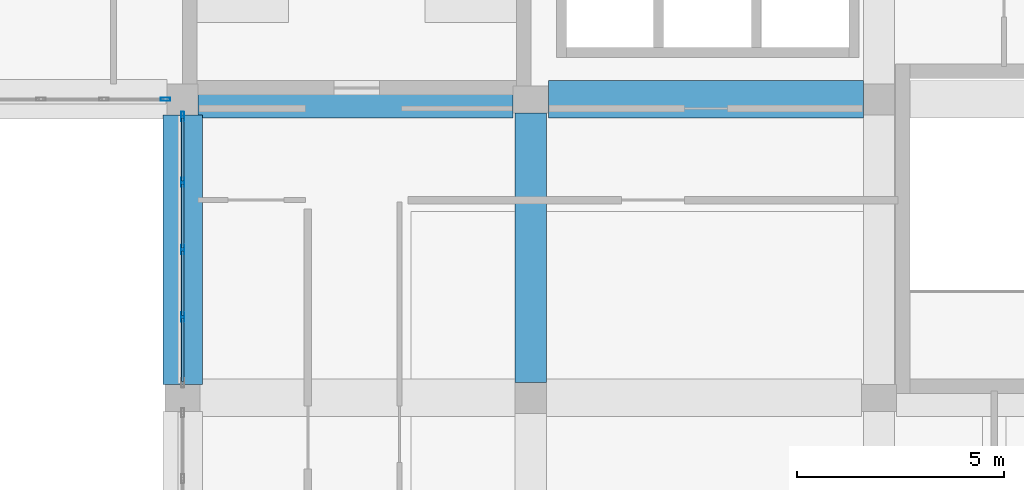
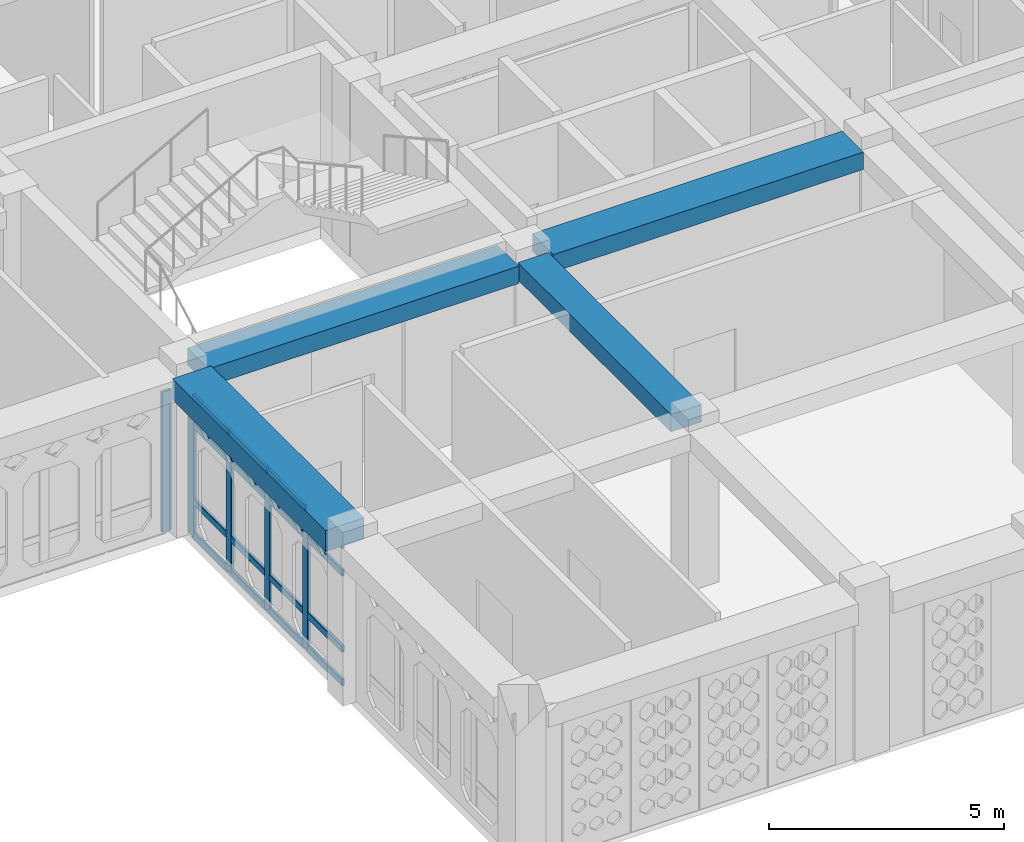
# One storey, part 5 of 111: 21 members, 4 beams, 2 elements without a shape of their own.
"""IFC4 building model written with IfcOpenShell, lengths in metres."""

from ifc_helpers import new_model, si_unit, derived_unit, direction, frame, origin, origin_2d, place, context, subcontext, project, spatial, rectangle, hollow_rectangle, extrude, material, material_profile, profile_set, type_object, element, aggregate, save


model = new_model("IFC4")

# Units and contexts
model_context = context("Model", 3, precision=1e-05, world=origin(), true_north=direction((0.0, 1.0)))
body_context = subcontext(model_context, "Body", "Model", "MODEL_VIEW")
ifc_project = project(units=[si_unit("LENGTHUNIT", "METRE"), si_unit("AREAUNIT", "SQUARE_METRE"), si_unit("VOLUMEUNIT", "CUBIC_METRE"), si_unit("PLANEANGLEUNIT", "RADIAN"), si_unit("MASSUNIT", "GRAM", prefix="KILO"), derived_unit("THERMALTRANSMITTANCEUNIT", [(si_unit("POWERUNIT", "WATT"), 1), (si_unit("LENGTHUNIT", "METRE"), -2), (si_unit("THERMODYNAMICTEMPERATUREUNIT", "KELVIN"), -1)])], contexts=[model_context])

# Site, building, storey
site_placement = place(None, origin())
site = spatial("IfcSite", under=ifc_project, at=site_placement, CompositionType="ELEMENT")
building_placement = place(site_placement, origin())
building = spatial("IfcBuilding", under=site, at=building_placement, Name="Veybourne Emporium", CompositionType="ELEMENT")
storey_placement = place(building_placement, frame((0.0, 0.0, 9.89990234375)))
storey = spatial("IfcBuildingStorey", under=building, at=storey_placement, Name="L02", CompositionType="ELEMENT", Elevation=9.89990234375)

# Curtain wall, members
ifc_material_1 = material(Name="Patinated Architectural Bronze", Category="bronze")
curtain_wall_type_1 = type_object("IfcCurtainWallType", Name="CWSystem_CWS-09", PredefinedType="NOTDEFINED", material=ifc_material_1)
curtain_wall_1_placement = place(storey_placement, origin())
curtain_wall_1 = element("IfcCurtainWall", 1, at=curtain_wall_1_placement, inside=storey, type_object=curtain_wall_type_1, Name="L02 bronze glazed curtain wall CWS-09 (016)", PredefinedType="NOTDEFINED")
ifc_material_profile_1 = material_profile(ifc_material_1, hollow_rectangle(XDim=0.072021484375, YDim=0.22509765625, WallThickness=0.0048828125, InnerFilletRadius=0.007568359375, OuterFilletRadius=0.012451171875, at=origin_2d()), Name="CWM 72x225x5")
ifc_profile_set_1 = profile_set([ifc_material_profile_1], Name="Patinated Architectural Bronze")
member_type_1 = type_object("IfcMemberType", Name="CWMullion_CW-M1", PredefinedType="MULLION", material=ifc_profile_set_1)
member_1_placement = place(storey_placement, frame((16.800048828125, 9.14990234375, 0.0), z_axis=(0.0, 0.0, 1.0), x_axis=(-1.0, 0.0, 0.0)))
member_1 = element("IfcMember", 2, at=member_1_placement, type_object=member_type_1, Name="CWS-09 mullion 2", PredefinedType="MULLION", context=body_context, shape_type="SweptSolid", body=[
    extrude(hollow_rectangle(XDim=0.072021484375, YDim=0.22509765625, WallThickness=0.0048828125, InnerFilletRadius=0.007568359375, OuterFilletRadius=0.012451171875, at=origin_2d()), origin(), (0.0, 0.0, 1.0), 3.630126953125),
])
member_2_placement = place(storey_placement, frame((16.800048828125, 10.77490234375, 0.0), z_axis=(0.0, 0.0, 1.0), x_axis=(-1.0, 0.0, 0.0)))
member_2 = element("IfcMember", 3, at=member_2_placement, type_object=member_type_1, Name="CWS-09 mullion 3", PredefinedType="MULLION", context=body_context, shape_type="SweptSolid", body=[
    extrude(hollow_rectangle(XDim=0.072021484375, YDim=0.22509765625, WallThickness=0.0048828125, InnerFilletRadius=0.007568359375, OuterFilletRadius=0.012451171875, at=origin_2d()), origin(), (0.0, 0.0, 1.0), 3.630126953125),
])
member_3_placement = place(storey_placement, frame((16.800048828125, 12.39990234375, 0.0), z_axis=(0.0, 0.0, 1.0), x_axis=(-1.0, 0.0, 0.0)))
member_3 = element("IfcMember", 4, at=member_3_placement, type_object=member_type_1, Name="CWS-09 mullion 4", PredefinedType="MULLION", context=body_context, shape_type="SweptSolid", body=[
    extrude(hollow_rectangle(XDim=0.072021484375, YDim=0.22509765625, WallThickness=0.0048828125, InnerFilletRadius=0.007568359375, OuterFilletRadius=0.012451171875, at=origin_2d()), origin(), (0.0, 0.0, 1.0), 3.630126953125),
])
member_4_placement = place(storey_placement, frame((16.800048828125, 13.989013671875, 0.0), z_axis=(0.0, 0.0, 1.0), x_axis=(-1.0, 0.0, 0.0)))
member_4 = element("IfcMember", 5, at=member_4_placement, type_object=member_type_1, Name="CWS-09 mullion 5", PredefinedType="MULLION", context=body_context, shape_type="SweptSolid", body=[
    extrude(hollow_rectangle(XDim=0.072021484375, YDim=0.22509765625, WallThickness=0.0048828125, InnerFilletRadius=0.007568359375, OuterFilletRadius=0.012451171875, at=origin_2d()), origin(), (0.0, 0.0, 1.0), 3.630126953125),
])

# Curtain wall, member
curtain_wall_type_2 = type_object("IfcCurtainWallType", Name="CWSystem_CWS-07", PredefinedType="NOTDEFINED", material=ifc_material_1)
curtain_wall_2_placement = place(storey_placement, origin())
curtain_wall_2 = element("IfcCurtainWall", 6, at=curtain_wall_2_placement, inside=storey, type_object=curtain_wall_type_2, Name="L02 bronze glazed curtain wall CWS-07 (012)", PredefinedType="NOTDEFINED")
ifc_material_profile_2 = material_profile(ifc_material_1, hollow_rectangle(XDim=0.077880859375, YDim=0.235107421875, WallThickness=0.0048828125, InnerFilletRadius=0.007568359375, OuterFilletRadius=0.012451171875, at=origin_2d()), Name="CWM 78x235x5")
ifc_profile_set_2 = profile_set([ifc_material_profile_2], Name="Patinated Architectural Bronze")
member_type_2 = type_object("IfcMemberType", Name="CWMullion_CW-M3", PredefinedType="MULLION", material=ifc_profile_set_2)
member_5_placement = place(storey_placement, frame((16.385986328125, 14.39990234375, 0.0), z_axis=(0.0, 0.0, 1.0), x_axis=(0.0, -1.0, 0.0)))
member_5 = element("IfcMember", 7, at=member_5_placement, type_object=member_type_2, Name="CWS-07 mullion 1", PredefinedType="MULLION", context=body_context, shape_type="SweptSolid", body=[
    extrude(hollow_rectangle(XDim=0.077880859375, YDim=0.235107421875, WallThickness=0.0048828125, InnerFilletRadius=0.007568359375, OuterFilletRadius=0.012451171875, at=origin_2d()), origin(), (0.0, 0.0, 1.0), 3.630126953125),
])
aggregate(curtain_wall_2, [member_5])

# Member
ifc_material_profile_3 = material_profile(ifc_material_1, hollow_rectangle(XDim=0.072021484375, YDim=0.175048828125, WallThickness=0.0048828125, InnerFilletRadius=0.007568359375, OuterFilletRadius=0.012451171875, at=origin_2d()), Name="CWT 72x175x5")
ifc_profile_set_3 = profile_set([ifc_material_profile_3], Name="Patinated Architectural Bronze")
member_type_3 = type_object("IfcMemberType", Name="CWTransom_CW-T1", PredefinedType="NOTDEFINED", material=ifc_profile_set_3)
member_6_placement = place(storey_placement, frame((16.800048828125, 7.596923828125, 0.0361328125), z_axis=(0.0, 1.0, 0.0), x_axis=(-1.0, 0.0, 0.0)))
member_6 = element("IfcMember", 8, at=member_6_placement, type_object=member_type_3, Name="CWS-09 transom 1.1", ObjectType="TRANSOM", PredefinedType="USERDEFINED", context=body_context, shape_type="SweptSolid", body=[
    extrude(hollow_rectangle(XDim=0.072021484375, YDim=0.175048828125, WallThickness=0.0048828125, InnerFilletRadius=0.007568359375, OuterFilletRadius=0.012451171875, at=origin_2d()), origin(), (0.0, 0.0, 1.0), 1.51708984375),
])

member_7_placement = place(storey_placement, frame((16.800048828125, 7.596923828125, 0.900146484375), z_axis=(0.0, 1.0, 0.0), x_axis=(-1.0, 0.0, 0.0)))
member_7 = element("IfcMember", 9, at=member_7_placement, type_object=member_type_3, Name="CWS-09 transom 1.2", ObjectType="TRANSOM", PredefinedType="USERDEFINED", context=body_context, shape_type="SweptSolid", body=[
    extrude(hollow_rectangle(XDim=0.072021484375, YDim=0.175048828125, WallThickness=0.0048828125, InnerFilletRadius=0.007568359375, OuterFilletRadius=0.012451171875, at=origin_2d()), origin(), (0.0, 0.0, 1.0), 1.51708984375),
])

member_8_placement = place(storey_placement, frame((16.800048828125, 7.596923828125, 2.880126953125), z_axis=(0.0, 1.0, 0.0), x_axis=(-1.0, 0.0, 0.0)))
member_8 = element("IfcMember", 10, at=member_8_placement, type_object=member_type_3, Name="CWS-09 transom 1.3", ObjectType="TRANSOM", PredefinedType="USERDEFINED", context=body_context, shape_type="SweptSolid", body=[
    extrude(hollow_rectangle(XDim=0.072021484375, YDim=0.175048828125, WallThickness=0.0048828125, InnerFilletRadius=0.007568359375, OuterFilletRadius=0.012451171875, at=origin_2d()), origin(), (0.0, 0.0, 1.0), 1.51708984375),
])

member_9_placement = place(storey_placement, frame((16.800048828125, 7.596923828125, 3.593994140625), z_axis=(0.0, 1.0, 0.0), x_axis=(-1.0, 0.0, 0.0)))
member_9 = element("IfcMember", 11, at=member_9_placement, type_object=member_type_3, Name="CWS-09 transom 1.4", ObjectType="TRANSOM", PredefinedType="USERDEFINED", context=body_context, shape_type="SweptSolid", body=[
    extrude(hollow_rectangle(XDim=0.072021484375, YDim=0.175048828125, WallThickness=0.0048828125, InnerFilletRadius=0.007568359375, OuterFilletRadius=0.012451171875, at=origin_2d()), origin(), (0.0, 0.0, 1.0), 1.51708984375),
])

member_10_placement = place(storey_placement, frame((16.800048828125, 9.18603515625, 0.0361328125), z_axis=(0.0, 1.0, 0.0), x_axis=(-1.0, 0.0, 0.0)))
member_10 = element("IfcMember", 12, at=member_10_placement, type_object=member_type_3, Name="CWS-09 transom 2.1", ObjectType="TRANSOM", PredefinedType="USERDEFINED", context=body_context, shape_type="SweptSolid", body=[
    extrude(hollow_rectangle(XDim=0.072021484375, YDim=0.175048828125, WallThickness=0.0048828125, InnerFilletRadius=0.007568359375, OuterFilletRadius=0.012451171875, at=origin_2d()), origin(), (0.0, 0.0, 1.0), 1.552978515625),
])

member_11_placement = place(storey_placement, frame((16.800048828125, 9.18603515625, 0.900146484375), z_axis=(0.0, 1.0, 0.0), x_axis=(-1.0, 0.0, 0.0)))
member_11 = element("IfcMember", 13, at=member_11_placement, type_object=member_type_3, Name="CWS-09 transom 2.2", ObjectType="TRANSOM", PredefinedType="USERDEFINED", context=body_context, shape_type="SweptSolid", body=[
    extrude(hollow_rectangle(XDim=0.072021484375, YDim=0.175048828125, WallThickness=0.0048828125, InnerFilletRadius=0.007568359375, OuterFilletRadius=0.012451171875, at=origin_2d()), origin(), (0.0, 0.0, 1.0), 1.552978515625),
])

member_12_placement = place(storey_placement, frame((16.800048828125, 9.18603515625, 2.880126953125), z_axis=(0.0, 1.0, 0.0), x_axis=(-1.0, 0.0, 0.0)))
member_12 = element("IfcMember", 14, at=member_12_placement, type_object=member_type_3, Name="CWS-09 transom 2.3", ObjectType="TRANSOM", PredefinedType="USERDEFINED", context=body_context, shape_type="SweptSolid", body=[
    extrude(hollow_rectangle(XDim=0.072021484375, YDim=0.175048828125, WallThickness=0.0048828125, InnerFilletRadius=0.007568359375, OuterFilletRadius=0.012451171875, at=origin_2d()), origin(), (0.0, 0.0, 1.0), 1.552978515625),
])

member_13_placement = place(storey_placement, frame((16.800048828125, 9.18603515625, 3.593994140625), z_axis=(0.0, 1.0, 0.0), x_axis=(-1.0, 0.0, 0.0)))
member_13 = element("IfcMember", 15, at=member_13_placement, type_object=member_type_3, Name="CWS-09 transom 2.4", ObjectType="TRANSOM", PredefinedType="USERDEFINED", context=body_context, shape_type="SweptSolid", body=[
    extrude(hollow_rectangle(XDim=0.072021484375, YDim=0.175048828125, WallThickness=0.0048828125, InnerFilletRadius=0.007568359375, OuterFilletRadius=0.012451171875, at=origin_2d()), origin(), (0.0, 0.0, 1.0), 1.552978515625),
])

member_14_placement = place(storey_placement, frame((16.800048828125, 10.81103515625, 0.0361328125), z_axis=(0.0, 1.0, 0.0), x_axis=(-1.0, 0.0, 0.0)))
member_14 = element("IfcMember", 16, at=member_14_placement, type_object=member_type_3, Name="CWS-09 transom 3.1", ObjectType="TRANSOM", PredefinedType="USERDEFINED", context=body_context, shape_type="SweptSolid", body=[
    extrude(hollow_rectangle(XDim=0.072021484375, YDim=0.175048828125, WallThickness=0.0048828125, InnerFilletRadius=0.007568359375, OuterFilletRadius=0.012451171875, at=origin_2d()), origin(), (0.0, 0.0, 1.0), 1.552978515625),
])

member_15_placement = place(storey_placement, frame((16.800048828125, 10.81103515625, 0.900146484375), z_axis=(0.0, 1.0, 0.0), x_axis=(-1.0, 0.0, 0.0)))
member_15 = element("IfcMember", 17, at=member_15_placement, type_object=member_type_3, Name="CWS-09 transom 3.2", ObjectType="TRANSOM", PredefinedType="USERDEFINED", context=body_context, shape_type="SweptSolid", body=[
    extrude(hollow_rectangle(XDim=0.072021484375, YDim=0.175048828125, WallThickness=0.0048828125, InnerFilletRadius=0.007568359375, OuterFilletRadius=0.012451171875, at=origin_2d()), origin(), (0.0, 0.0, 1.0), 1.552978515625),
])

member_16_placement = place(storey_placement, frame((16.800048828125, 10.81103515625, 2.880126953125), z_axis=(0.0, 1.0, 0.0), x_axis=(-1.0, 0.0, 0.0)))
member_16 = element("IfcMember", 18, at=member_16_placement, type_object=member_type_3, Name="CWS-09 transom 3.3", ObjectType="TRANSOM", PredefinedType="USERDEFINED", context=body_context, shape_type="SweptSolid", body=[
    extrude(hollow_rectangle(XDim=0.072021484375, YDim=0.175048828125, WallThickness=0.0048828125, InnerFilletRadius=0.007568359375, OuterFilletRadius=0.012451171875, at=origin_2d()), origin(), (0.0, 0.0, 1.0), 1.552978515625),
])

member_17_placement = place(storey_placement, frame((16.800048828125, 10.81103515625, 3.593994140625), z_axis=(0.0, 1.0, 0.0), x_axis=(-1.0, 0.0, 0.0)))
member_17 = element("IfcMember", 19, at=member_17_placement, type_object=member_type_3, Name="CWS-09 transom 3.4", ObjectType="TRANSOM", PredefinedType="USERDEFINED", context=body_context, shape_type="SweptSolid", body=[
    extrude(hollow_rectangle(XDim=0.072021484375, YDim=0.175048828125, WallThickness=0.0048828125, InnerFilletRadius=0.007568359375, OuterFilletRadius=0.012451171875, at=origin_2d()), origin(), (0.0, 0.0, 1.0), 1.552978515625),
])

member_18_placement = place(storey_placement, frame((16.800048828125, 12.43603515625, 0.0361328125), z_axis=(0.0, 1.0, 0.0), x_axis=(-1.0, 0.0, 0.0)))
member_18 = element("IfcMember", 20, at=member_18_placement, type_object=member_type_3, Name="CWS-09 transom 4.1", ObjectType="TRANSOM", PredefinedType="USERDEFINED", context=body_context, shape_type="SweptSolid", body=[
    extrude(hollow_rectangle(XDim=0.072021484375, YDim=0.175048828125, WallThickness=0.0048828125, InnerFilletRadius=0.007568359375, OuterFilletRadius=0.012451171875, at=origin_2d()), origin(), (0.0, 0.0, 1.0), 1.516845703125),
])

member_19_placement = place(storey_placement, frame((16.800048828125, 12.43603515625, 0.900146484375), z_axis=(0.0, 1.0, 0.0), x_axis=(-1.0, 0.0, 0.0)))
member_19 = element("IfcMember", 21, at=member_19_placement, type_object=member_type_3, Name="CWS-09 transom 4.2", ObjectType="TRANSOM", PredefinedType="USERDEFINED", context=body_context, shape_type="SweptSolid", body=[
    extrude(hollow_rectangle(XDim=0.072021484375, YDim=0.175048828125, WallThickness=0.0048828125, InnerFilletRadius=0.007568359375, OuterFilletRadius=0.012451171875, at=origin_2d()), origin(), (0.0, 0.0, 1.0), 1.516845703125),
])

member_20_placement = place(storey_placement, frame((16.800048828125, 12.43603515625, 2.880126953125), z_axis=(0.0, 1.0, 0.0), x_axis=(-1.0, 0.0, 0.0)))
member_20 = element("IfcMember", 22, at=member_20_placement, type_object=member_type_3, Name="CWS-09 transom 4.3", ObjectType="TRANSOM", PredefinedType="USERDEFINED", context=body_context, shape_type="SweptSolid", body=[
    extrude(hollow_rectangle(XDim=0.072021484375, YDim=0.175048828125, WallThickness=0.0048828125, InnerFilletRadius=0.007568359375, OuterFilletRadius=0.012451171875, at=origin_2d()), origin(), (0.0, 0.0, 1.0), 1.516845703125),
])

member_21_placement = place(storey_placement, frame((16.800048828125, 12.43603515625, 3.593994140625), z_axis=(0.0, 1.0, 0.0), x_axis=(-1.0, 0.0, 0.0)))
member_21 = element("IfcMember", 23, at=member_21_placement, type_object=member_type_3, Name="CWS-09 transom 4.4", ObjectType="TRANSOM", PredefinedType="USERDEFINED", context=body_context, shape_type="SweptSolid", body=[
    extrude(hollow_rectangle(XDim=0.072021484375, YDim=0.175048828125, WallThickness=0.0048828125, InnerFilletRadius=0.007568359375, OuterFilletRadius=0.012451171875, at=origin_2d()), origin(), (0.0, 0.0, 1.0), 1.516845703125),
])

aggregate(curtain_wall_1, [member_1, member_2, member_3, member_4, member_6, member_7, member_8, member_9, member_10, member_11, member_12, member_13, member_14, member_15, member_16, member_17, member_18, member_19, member_20, member_21])

# Beams
ifc_material_2 = material(Name="Concrete C32/40", Category="concrete")
ifc_material_profile_4 = material_profile(ifc_material_2, rectangle(XDim=0.89990234375, YDim=0.449951171875, at=origin_2d()), Name="RC 900x450")
ifc_profile_set_4 = profile_set([ifc_material_profile_4], Name="Concrete C32/40")
beam_type_1 = type_object("IfcBeamType", Name="RCBeam_BB-03", PredefinedType="BEAM", material=ifc_profile_set_4)
beam_1_placement = place(storey_placement, frame((17.175048828125, 14.39990234375, 3.955078125), z_axis=(1.0, 0.0, 0.0), x_axis=(0.0, 1.0, 0.0)))
element("IfcBeam", 24, at=beam_1_placement, inside=storey, type_object=beam_type_1, Name="L02 X-grid beam BB-03 (2,2)", PredefinedType="BEAM", context=body_context, shape_type="SweptSolid", body=[
    extrude(rectangle(XDim=0.89990234375, YDim=0.449951171875, at=origin_2d()), origin(), (0.0, 0.0, 1.0), 7.599853515625),
])
beam_2_placement = place(storey_placement, frame((25.625, 14.39990234375, 3.955078125), z_axis=(1.0, 0.0, 0.0), x_axis=(0.0, 1.0, 0.0)))
element("IfcBeam", 25, at=beam_2_placement, inside=storey, type_object=beam_type_1, Name="L02 X-grid beam BB-03 (3,2)", PredefinedType="BEAM", context=body_context, shape_type="SweptSolid", body=[
    extrude(rectangle(XDim=0.89990234375, YDim=0.449951171875, at=origin_2d()), origin(), (0.0, 0.0, 1.0), 7.60009765625),
])
ifc_material_profile_5 = material_profile(ifc_material_2, rectangle(XDim=0.75, YDim=0.449951171875, at=origin_2d()), Name="RC 750x450")
ifc_profile_set_5 = profile_set([ifc_material_profile_5], Name="Concrete C32/40")
beam_type_2 = type_object("IfcBeamType", Name="RCBeam_BB-04", PredefinedType="BEAM", material=ifc_profile_set_5)
beam_3_placement = place(storey_placement, frame((25.199951171875, 7.574951171875, 3.955078125), z_axis=(0.0, 1.0, 0.0), x_axis=(-1.0, 0.0, 0.0)))
element("IfcBeam", 26, at=beam_3_placement, inside=storey, type_object=beam_type_2, Name="L02 Y-grid beam BB-04 (3,1)", PredefinedType="BEAM", context=body_context, shape_type="SweptSolid", body=[
    extrude(rectangle(XDim=0.75, YDim=0.449951171875, at=origin_2d()), origin(), (0.0, 0.0, 1.0), 6.5),
])
ifc_material_profile_6 = material_profile(ifc_material_2, rectangle(XDim=0.949951171875, YDim=0.550048828125, at=origin_2d()), Name="RC 950x550")
ifc_profile_set_6 = profile_set([ifc_material_profile_6], Name="Concrete C32/40")
beam_type_3 = type_object("IfcBeamType", Name="RCBeam_EB-01", PredefinedType="SPANDREL", material=ifc_profile_set_6)
beam_4_placement = place(storey_placement, frame((16.800048828125, 7.52490234375, 3.905029296875), z_axis=(0.0, 1.0, 0.0), x_axis=(-1.0, 0.0, 0.0)))
element("IfcBeam", 27, at=beam_4_placement, inside=storey, type_object=beam_type_3, Name="L02 Y-grid beam EB-01 (2,1)", PredefinedType="SPANDREL", context=body_context, shape_type="SweptSolid", body=[
    extrude(rectangle(XDim=0.949951171875, YDim=0.550048828125, at=origin_2d()), origin(), (0.0, 0.0, 1.0), 6.5),
])

save(model, "model.ifc")
